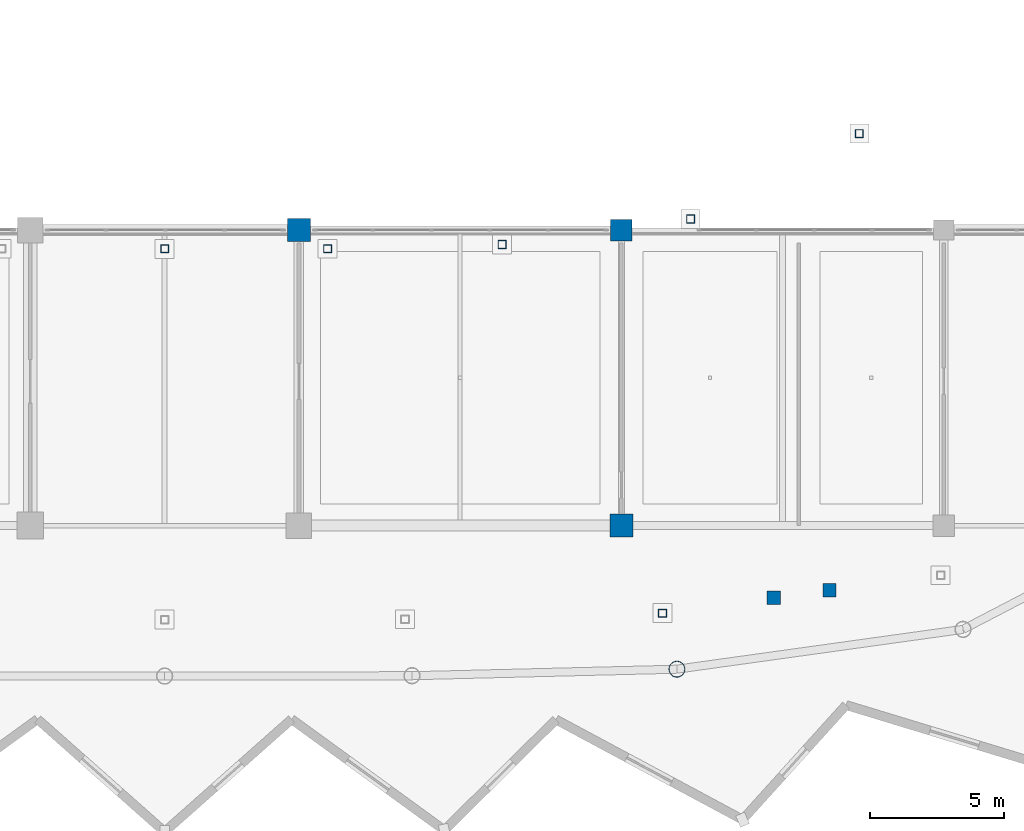
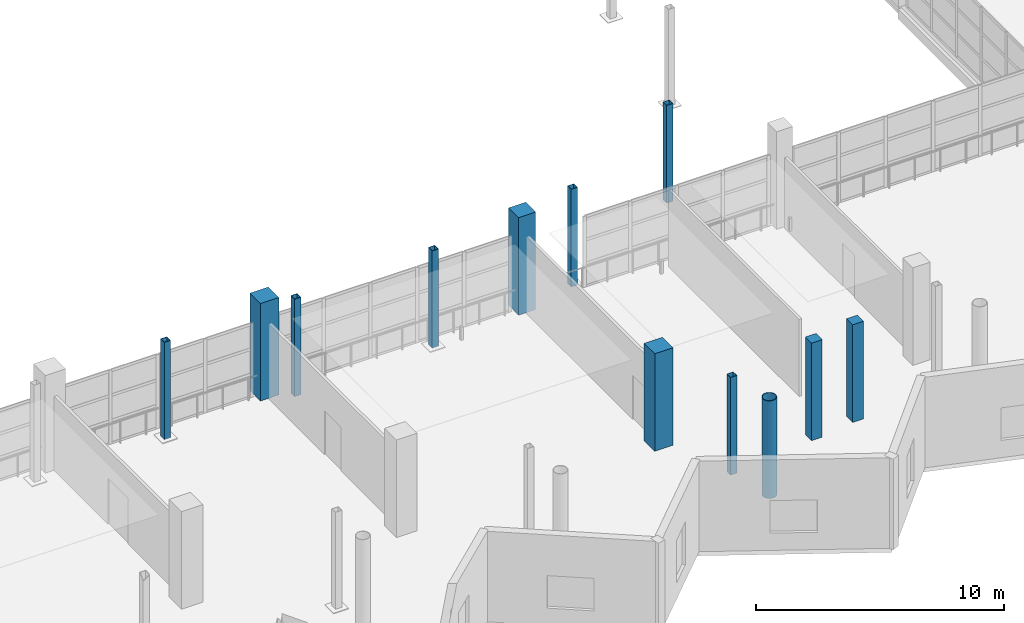
# One storey, part 6 of 143: 12 columns.
"""IFC4 building model written with IfcOpenShell, lengths in metres."""

from ifc_helpers import new_model, si_unit, direction, frame, origin, origin_2d, place, context, subcontext, project, spatial, rectangle, hollow_rectangle, hollow_circle, extrude, material, material_profile, profile_set, type_object, element, save


model = new_model("IFC4")

# Units and contexts
model_context = context("Model", 3, precision=1e-05, world=origin(), true_north=direction((0.0, 1.0)))
body_context = subcontext(model_context, "Body", "Model", "MODEL_VIEW")
ifc_project = project(units=[si_unit("LENGTHUNIT", "METRE"), si_unit("AREAUNIT", "SQUARE_METRE"), si_unit("VOLUMEUNIT", "CUBIC_METRE"), si_unit("PLANEANGLEUNIT", "RADIAN"), si_unit("MASSUNIT", "GRAM", prefix="KILO")], contexts=[model_context])

# Site, building, storey
site_placement = place(None, origin())
site = spatial("IfcSite", under=ifc_project, at=site_placement, CompositionType="ELEMENT")
building_placement = place(site_placement, origin())
building = spatial("IfcBuilding", under=site, at=building_placement, Name="Luwafu Chhajja Arena", CompositionType="ELEMENT")
storey_placement = place(building_placement, frame((0.0, 0.0, 5.39990234375)))
storey = spatial("IfcBuildingStorey", under=building, at=storey_placement, Name="L01", CompositionType="ELEMENT", Elevation=5.39990234375)

# Columns
ifc_material_1 = material(Name="Concrete C35/45", Category="concrete")
ifc_material_profile_1 = material_profile(ifc_material_1, rectangle(XDim=0.85009765625, YDim=0.85009765625, at=origin_2d()), Name="RC 850x850")
ifc_profile_set_1 = profile_set([ifc_material_profile_1], Name="Concrete C35/45")
column_type_1 = type_object("IfcColumnType", Name="Concourse Heavy Column RC 850", PredefinedType="COLUMN", material=ifc_profile_set_1)
for number, where, z_axis, x_axis, name in (
    (1, (104.0, 22.0, 0.0), (0.0, 0.0, 1.0), (1.0, 0.0, 0.0), "L01 Grid Column 10/C"),
    (2, (116.0, 11.0, 0.0), (0.0, 0.0, 1.0), (1.0, 0.0, 0.0), "L01 Grid Column 11/B"),
):
    element("IfcColumn", number, at=place(storey_placement, frame(where, z_axis=z_axis, x_axis=x_axis)), inside=storey, type_object=column_type_1, Name=name, PredefinedType="COLUMN", context=body_context, shape_type="SweptSolid", body=[
        extrude(rectangle(XDim=0.85009765625, YDim=0.85009765625, at=origin_2d()), origin(), (0.0, 0.0, 1.0), 4.800048828125),
    ])
ifc_material_profile_2 = material_profile(ifc_material_1, rectangle(XDim=0.800048828125, YDim=0.800048828125, at=origin_2d()), Name="RC 800x800")
ifc_profile_set_2 = profile_set([ifc_material_profile_2], Name="Concrete C35/45")
column_type_2 = type_object("IfcColumnType", Name="Concourse Standard Column RC 800", PredefinedType="COLUMN", material=ifc_profile_set_2)
column_1_placement = place(storey_placement, frame((116.0, 22.0, 0.0), z_axis=(0.0, 0.0, 1.0), x_axis=(1.0, 0.0, 0.0)))
element("IfcColumn", 3, at=column_1_placement, inside=storey, type_object=column_type_2, Name="L01 Grid Column 11/C", PredefinedType="COLUMN", context=body_context, shape_type="SweptSolid", body=[
    extrude(rectangle(XDim=0.800048828125, YDim=0.800048828125, at=origin_2d()), origin(), (0.0, 0.0, 1.0), 4.800048828125),
])
ifc_material_profile_3 = material_profile(ifc_material_1, rectangle(XDim=0.5, YDim=0.5, at=origin_2d()), Name="RC 500x500")
ifc_profile_set_3 = profile_set([ifc_material_profile_3], Name="Concrete C35/45")
column_type_3 = type_object("IfcColumnType", Name="Pavilion Column RC 500", PredefinedType="COLUMN", material=ifc_profile_set_3)
for number, where, z_axis, x_axis, name in (
    (4, (121.667236328125, 8.306884765625, 0.0), (0.0, 0.0, 1.0), (1.0, 0.0, 0.0), "L01 Vomitory Stack Column VU27A"),
    (5, (123.748046875, 8.5908203125, 0.0), (0.0, 0.0, 1.0), (1.0, 0.0, 0.0), "L01 Vomitory Stack Column VU27B"),
):
    element("IfcColumn", number, at=place(storey_placement, frame(where, z_axis=z_axis, x_axis=x_axis)), inside=storey, type_object=column_type_3, Name=name, PredefinedType="COLUMN", context=body_context, shape_type="SweptSolid", body=[
        extrude(rectangle(XDim=0.5, YDim=0.5, at=origin_2d()), origin(), (0.0, 0.0, 1.0), 4.800048828125),
    ])
ifc_material_2 = material(Name="Steel S355", Category="steel")
ifc_material_profile_4 = material_profile(ifc_material_2, hollow_circle(Radius=0.304931640625, WallThickness=0.02490234375, at=origin_2d()), Name="CHS 610x25")
ifc_profile_set_4 = profile_set([ifc_material_profile_4], Name="Steel S355")
column_type_4 = type_object("IfcColumnType", Name="Steel Bowl Drum Column CHS 610", PredefinedType="COLUMN", material=ifc_profile_set_4)
column_2_placement = place(storey_placement, frame((118.067138671875, 5.6552734375, 0.0), z_axis=(0.0, 0.0, 1.0), x_axis=(1.0, 0.0, 0.0)))
element("IfcColumn", 6, at=column_2_placement, inside=storey, type_object=column_type_4, Name="L01 Bowl Drum Column D27", PredefinedType="COLUMN", context=body_context, shape_type="SweptSolid", body=[
    extrude(hollow_circle(Radius=0.304931640625, WallThickness=0.02490234375, at=origin_2d()), origin(), (0.0, 0.0, 1.0), 4.800048828125),
])
ifc_material_profile_5 = material_profile(ifc_material_2, hollow_rectangle(XDim=0.300048828125, YDim=0.300048828125, WallThickness=0.01611328125, at=origin_2d()), Name="SHS 300x300x16")
ifc_profile_set_5 = profile_set([ifc_material_profile_5], Name="Steel S355")
column_type_5 = type_object("IfcColumnType", Name="Steel Gallery Post SHS 300", PredefinedType="COLUMN", material=ifc_profile_set_5)
for number, where, z_axis, x_axis, name in (
    (7, (99.0, 21.300048828125, 0.0), (0.0, 0.0, 1.0), (1.0, 0.0, 0.0), "L01 Upper Bowl Raker Column UI25"),
    (8, (105.065185546875, 21.3076171875, 0.0), (0.0, 0.0, 1.0), (1.0, 0.0, 0.0), "L01 Upper Bowl Raker Column UI26"),
    (9, (111.560302734375, 21.463134765625, 0.0), (0.0, 0.0, 1.0), (1.0, 0.0, 0.0), "L01 Upper Bowl Raker Column UI27"),
    (10, (118.57666015625, 22.410888671875, 0.0), (0.0, 0.0, 1.0), (1.0, 0.0, 0.0), "L01 Upper Bowl Raker Column UI28"),
    (11, (124.85986328125, 25.590087890625, 0.0), (0.0, 0.0, 1.0), (1.0, 0.0, 0.0), "L01 Upper Bowl Raker Column UI29"),
    (12, (117.53173828125, 7.7431640625, 0.0), (0.0, 0.0, 1.0), (1.0, 0.0, 0.0), "L01 Upper Bowl Raker Column UO27"),
):
    element("IfcColumn", number, at=place(storey_placement, frame(where, z_axis=z_axis, x_axis=x_axis)), inside=storey, type_object=column_type_5, Name=name, PredefinedType="COLUMN", context=body_context, shape_type="SweptSolid", body=[
        extrude(hollow_rectangle(XDim=0.300048828125, YDim=0.300048828125, WallThickness=0.01611328125, at=origin_2d()), origin(), (0.0, 0.0, 1.0), 4.800048828125),
    ])

save(model, "model.ifc")
